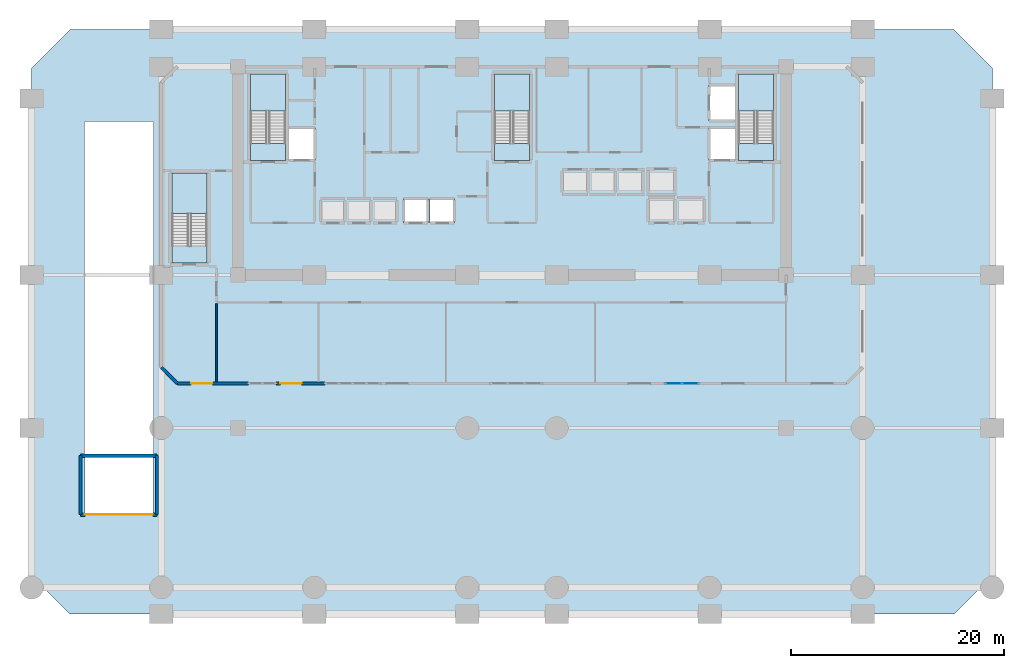
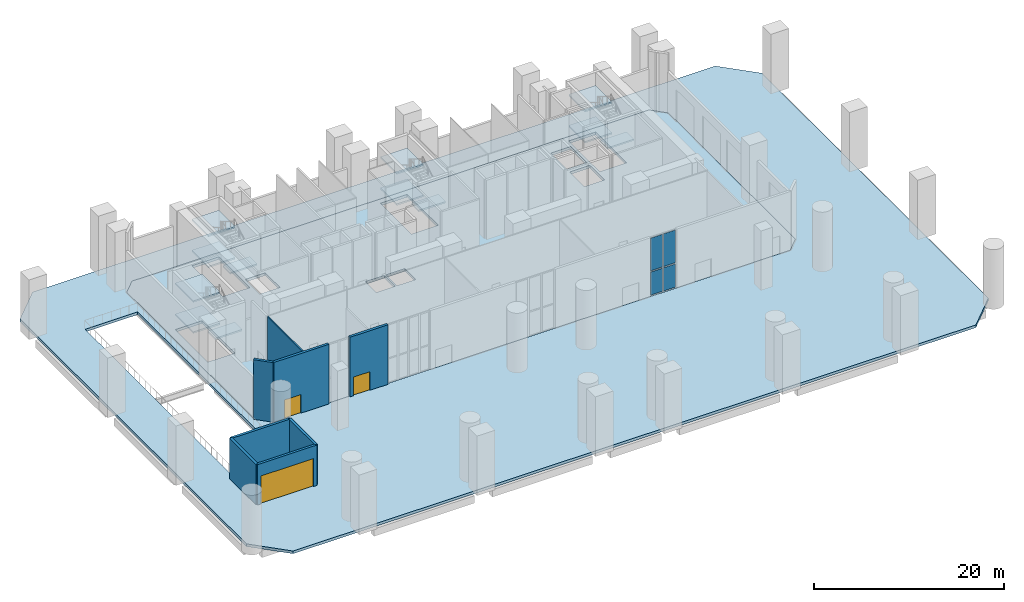
# One storey, part 9 of 17: 14 slabs, 8 walls, 4 plates, 3 doors, 3 openings, 5 elements without a shape of their own.
"""IFC4 building model written with IfcOpenShell, lengths in metres."""

import ifcopenshell
import ifcopenshell.guid

model = None  # the IFC model being written
_history = None  # IfcOwnerHistory: only IFC2X3 demands one
_inside = {}  # id of a spatial element -> (the spatial element, [elements in it])
_under = {}  # id of a project, library or spatial element -> (it, [spatial elements below it])
_declared = {}  # id of a project -> (the project, [libraries it declares])
_typed = {}  # id of a type object -> (the type object, [elements of that type])
_made_of = {}  # id of a material, layer set ... -> (it, [elements and type objects made of it])


def new_model(schema):
    """Start an empty IFC model of exactly this schema.

    Asked for "IFC4X3", IfcOpenShell would pick the latest addendum, in which some entities
    have other attributes; the version numbers below select the first issue.
    IFC2X3 requires an IfcOwnerHistory on every rooted entity: one is made here for all.
    """
    global model, _history
    if schema == "IFC4X3":
        model = ifcopenshell.file(schema_version=(4, 3, 0, 0))
    else:
        model = ifcopenshell.file(schema=schema)
    _inside.clear()
    _under.clear()
    _declared.clear()
    _typed.clear()
    _made_of.clear()
    _history = None
    if model.schema == "IFC2X3":
        org = make("IfcOrganization", Name="unknown")
        user = make(
            "IfcPersonAndOrganization",
            ThePerson=make("IfcPerson", FamilyName="unknown"),
            TheOrganization=org,
        )
        app = make(
            "IfcApplication",
            ApplicationDeveloper=org,
            Version="unknown",
            ApplicationFullName="unknown",
            ApplicationIdentifier="unknown",
        )
        _history = make(
            "IfcOwnerHistory",
            OwningUser=user,
            OwningApplication=app,
            ChangeAction="ADDED",
            CreationDate=0,
        )
    return model


def make(cls, **values):
    """One entity of the class cls with the attributes given. An attribute that is None is left unset."""
    return model.create_entity(
        cls, **{name: value for name, value in values.items() if value is not None}
    )


def rooted(cls, **values):
    """An entity with a GlobalId (a new one), such as an element, a storey or a relation."""
    return make(cls, GlobalId=ifcopenshell.guid.new(), OwnerHistory=_history, **values)


def si_unit(unit_type, name, prefix=None):
    """IfcSIUnit, for example si_unit("LENGTHUNIT", "METRE", prefix="MILLI")."""
    return make("IfcSIUnit", UnitType=unit_type, Prefix=prefix, Name=name)


def assignment(units):
    """IfcUnitAssignment: the units of a project."""
    return None if units is None else make("IfcUnitAssignment", Units=units)


def point(xyz):
    """IfcCartesianPoint."""
    return None if xyz is None else make("IfcCartesianPoint", Coordinates=xyz)


def direction(xyz):
    """IfcDirection."""
    return None if xyz is None else make("IfcDirection", DirectionRatios=xyz)


def frame(location, z_axis=None, x_axis=None):
    """IfcAxis2Placement3D, a coordinate frame: its origin and axes. An axis left out is left unset."""
    return make(
        "IfcAxis2Placement3D",
        Location=point(location),
        Axis=direction(z_axis),
        RefDirection=direction(x_axis),
    )


def frame_2d(location, x_axis=None):
    """IfcAxis2Placement2D, a coordinate frame in the plane: its origin and x axis."""
    return make(
        "IfcAxis2Placement2D", Location=point(location), RefDirection=direction(x_axis)
    )


def origin():
    """The frame at (0, 0, 0) with its axes left unset."""
    return frame((0.0, 0.0, 0.0))


def origin_2d():
    """The frame at (0, 0) in the plane with its x axis left unset."""
    return frame_2d((0.0, 0.0))


def place(relative_to, where):
    """IfcLocalPlacement: puts the frame where relative to a parent placement (None: the world)."""
    return make(
        "IfcLocalPlacement", PlacementRelTo=relative_to, RelativePlacement=where
    )


def context(
    kind, dimensions, precision=None, world=None, true_north=None, identifier=None
):
    """IfcGeometricRepresentationContext, for example the 3D "Model" context."""
    return make(
        "IfcGeometricRepresentationContext",
        ContextIdentifier=identifier,
        ContextType=kind,
        CoordinateSpaceDimension=dimensions,
        Precision=precision,
        WorldCoordinateSystem=world,
        TrueNorth=true_north,
    )


def subcontext(parent, identifier, kind, view, scale=None):
    """IfcGeometricRepresentationSubContext, for example "Body" below "Model"."""
    return make(
        "IfcGeometricRepresentationSubContext",
        ContextIdentifier=identifier,
        ContextType=kind,
        ParentContext=parent,
        TargetScale=scale,
        TargetView=view,
    )


def project(units=None, contexts=None):
    """IfcProject with its units and contexts."""
    return rooted(
        "IfcProject",
        Name="project",
        RepresentationContexts=contexts,
        UnitsInContext=assignment(units),
    )


def spatial(cls, under=None, at=None, **own):
    """A site, building, storey or space (cls), placed at a placement, below another one or the project."""
    s = rooted(cls, ObjectPlacement=at, **own)
    if under is not None:
        _under.setdefault(under.id(), (under, []))[1].append(s)
    return s


def polyline(points):
    """IfcPolyline through the points."""
    return make("IfcPolyline", Points=[point(p) for p in points])


def profile(cls, at=None, kind="AREA", **sizes):
    """A parametric profile (cls). Its sizes go by their IFC names, for example OverallWidth=200.0."""
    return make(cls, ProfileType=kind, Position=at, **sizes)


def rectangle(**sizes):
    """IfcRectangleProfileDef."""
    return profile("IfcRectangleProfileDef", **sizes)


def outline(outer, holes=None, kind="AREA"):
    """IfcArbitraryClosedProfileDef: a profile drawn as a closed curve; with holes, ...WithVoids."""
    if holes is None:
        return make("IfcArbitraryClosedProfileDef", ProfileType=kind, OuterCurve=outer)
    return make(
        "IfcArbitraryProfileDefWithVoids",
        ProfileType=kind,
        OuterCurve=outer,
        InnerCurves=holes,
    )


def extrude(swept, where, along, depth):
    """IfcExtrudedAreaSolid: the profile swept, set in the frame where, extruded along a direction by depth."""
    return make(
        "IfcExtrudedAreaSolid",
        SweptArea=swept,
        Position=where,
        ExtrudedDirection=direction(along),
        Depth=depth,
    )


def shape(context_of_items, identifier, shape_type, items):
    """IfcShapeRepresentation: the items that make up one representation, for example the "Body"."""
    return make(
        "IfcShapeRepresentation",
        ContextOfItems=context_of_items,
        RepresentationIdentifier=identifier,
        RepresentationType=shape_type,
        Items=items,
    )


def material(Name=None, Category=None):
    """IfcMaterial."""
    return make("IfcMaterial", Name=Name, Category=Category)


def layer(
    of_material, thickness, ventilated=None, Name=None, Category=None, Priority=None
):
    """IfcMaterialLayer: one layer of a wall or slab, of a material (None: an air gap)."""
    return make(
        "IfcMaterialLayer",
        Material=of_material,
        LayerThickness=thickness,
        IsVentilated=ventilated,
        Name=Name,
        Category=Category,
        Priority=Priority,
    )


def layer_set(layers, Name=None):
    """IfcMaterialLayerSet."""
    return make("IfcMaterialLayerSet", MaterialLayers=layers, LayerSetName=Name)


def made_of(thing, what):
    """Note that an element or type object is made of a material, layer set ...; save() writes the relation."""
    if what is not None:
        _made_of.setdefault(what.id(), (what, []))[1].append(thing)
    return thing


def type_object(cls, material=None, **own):
    """A type object (cls), such as IfcWallType, which elements share."""
    return made_of(rooted(cls, **own), material)


def element(
    cls,
    number,
    at=None,
    inside=None,
    cuts=None,
    type_object=None,
    material=None,
    context=None,
    identifier="Body",
    shape_type=None,
    held_by="IfcProductDefinitionShape",
    body=None,
    shapes=None,
    **own,
):
    """One element of the class cls, such as IfcWall. Its Tag is "e" and its number.

    at: its placement. inside: the storey or other place that contains it. cuts: it is an
    opening in that element (IfcRelVoidsElement). A single representation is given by context,
    identifier, shape_type and body (its items); several are given by shapes. held_by: the class
    of the entity that holds the representations. save() writes the other relations.
    """
    e = rooted(cls, Tag="e%d" % number, ObjectPlacement=at, **own)
    if body is not None:
        shapes = [shape(context, identifier, shape_type, body)]
    if shapes is not None:
        e.Representation = make(held_by, Representations=shapes)
    if inside is not None:
        _inside.setdefault(inside.id(), (inside, []))[1].append(e)
    if cuts is not None:
        rooted(
            "IfcRelVoidsElement", RelatingBuildingElement=cuts, RelatedOpeningElement=e
        )
    if type_object is not None:
        _typed.setdefault(type_object.id(), (type_object, []))[1].append(e)
    return made_of(e, material)


def fill(opening, filler):
    """IfcRelFillsElement: the door or window that sits in an opening."""
    return rooted(
        "IfcRelFillsElement",
        RelatingOpeningElement=opening,
        RelatedBuildingElement=filler,
    )


def aggregate(whole, parts):
    """IfcRelAggregates: a whole, such as a stair, and the parts it consists of."""
    return rooted("IfcRelAggregates", RelatingObject=whole, RelatedObjects=parts)


def save(model, path):
    """Write the relations noted so far, then the file.

    IfcRelAggregates (storeys below a building ...), IfcRelContainedInSpatialStructure (elements
    in a storey), IfcRelDefinesByType, IfcRelAssociatesMaterial and IfcRelDeclares: one each for
    every whole, place, type object, material and project.
    """
    for whole, parts in _under.values():
        aggregate(whole, parts)
    for where, things in _inside.values():
        rooted(
            "IfcRelContainedInSpatialStructure",
            RelatedElements=things,
            RelatingStructure=where,
        )
    for kind, things in _typed.values():
        rooted("IfcRelDefinesByType", RelatedObjects=things, RelatingType=kind)
    for what, things in _made_of.values():
        rooted("IfcRelAssociatesMaterial", RelatedObjects=things, RelatingMaterial=what)
    for by, libraries in _declared.values():
        rooted("IfcRelDeclares", RelatingContext=by, RelatedDefinitions=libraries)
    model.write(path)


model = new_model("IFC4")

# Units and contexts
model_context = context("Model", 3, precision=1e-05, world=origin(), true_north=direction((0.0, 1.0)))
body_context = subcontext(model_context, "Body", "Model", "MODEL_VIEW")
ifc_project = project(units=[si_unit("LENGTHUNIT", "METRE"), si_unit("AREAUNIT", "SQUARE_METRE"), si_unit("VOLUMEUNIT", "CUBIC_METRE"), si_unit("PLANEANGLEUNIT", "RADIAN"), si_unit("MASSUNIT", "GRAM", prefix="KILO")], contexts=[model_context])

# Site, building, storey
site_placement = place(None, origin())
site = spatial("IfcSite", under=ifc_project, at=site_placement, CompositionType="ELEMENT")
building_placement = place(site_placement, origin())
building = spatial("IfcBuilding", under=site, at=building_placement, Name="Kaelvorn Grand Hotel", CompositionType="ELEMENT")
storey_placement = place(building_placement, origin())
storey = spatial("IfcBuildingStorey", under=building, at=storey_placement, Name="L00", CompositionType="ELEMENT", Elevation=0.0)

# Curtain wall, plates
ifc_material_1 = material(Name="Anodised Aluminium", Category="aluminium")
ifc_layer_1 = layer(ifc_material_1, 0.239990234375)
ifc_layer_set_1 = layer_set([ifc_layer_1], Name="Anodised Aluminium")
curtain_wall_type = type_object("IfcCurtainWallType", Name="CW-SYS1", PredefinedType="NOTDEFINED", material=ifc_layer_set_1)
curtain_wall_placement = place(storey_placement, origin())
curtain_wall = element("IfcCurtainWall", 1, at=curtain_wall_placement, inside=storey, type_object=curtain_wall_type, Name="L00 Unitised Curtain Wall CW1 (CW-L00-01)", PredefinedType="NOTDEFINED")
ifc_material_2 = material(Name="Laminated Low-E Glass", Category="glass")
ifc_layer_2 = layer(ifc_material_2, 0.035888671875)
ifc_layer_set_2 = layer_set([ifc_layer_2], Name="Laminated Low-E Glass")
plate_type = type_object("IfcPlateType", Name="CW-SYS1-PAN", PredefinedType="CURTAIN_PANEL", material=ifc_layer_set_2)
plate_1_placement = place(storey_placement, frame((58.780029296875, 19.199951171875, 0.1650390625), z_axis=(0.0, 0.0, 1.0), x_axis=(-1.0, 0.0, 0.0)))
plate_1 = element("IfcPlate", 2, at=plate_1_placement, type_object=plate_type, Name="CW1 panel 1.1", PredefinedType="CURTAIN_PANEL", context=body_context, shape_type="SweptSolid", body=[
    extrude(rectangle(XDim=1.47998046875, YDim=0.035888671875, at=origin_2d()), origin(), (0.0, 0.0, 1.0), 2.97802734375),
])
plate_2_placement = place(storey_placement, frame((58.780029296875, 19.199951171875, 3.30810546875), z_axis=(0.0, 0.0, 1.0), x_axis=(-1.0, 0.0, 0.0)))
plate_2 = element("IfcPlate", 3, at=plate_2_placement, type_object=plate_type, Name="CW1 panel 1.2", PredefinedType="CURTAIN_PANEL", context=body_context, shape_type="SweptSolid", body=[
    extrude(rectangle(XDim=1.47998046875, YDim=0.035888671875, at=origin_2d()), origin(), (0.0, 0.0, 1.0), 4.206787109375),
])
plate_3_placement = place(storey_placement, frame((57.219970703125, 19.199951171875, 0.1650390625), z_axis=(0.0, 0.0, 1.0), x_axis=(-1.0, 0.0, 0.0)))
plate_3 = element("IfcPlate", 4, at=plate_3_placement, type_object=plate_type, Name="CW1 panel 2.1", PredefinedType="CURTAIN_PANEL", context=body_context, shape_type="SweptSolid", body=[
    extrude(rectangle(XDim=1.47998046875, YDim=0.035888671875, at=origin_2d()), origin(), (0.0, 0.0, 1.0), 2.97802734375),
])
plate_4_placement = place(storey_placement, frame((57.219970703125, 19.199951171875, 3.30810546875), z_axis=(0.0, 0.0, 1.0), x_axis=(-1.0, 0.0, 0.0)))
plate_4 = element("IfcPlate", 5, at=plate_4_placement, type_object=plate_type, Name="CW1 panel 2.2", PredefinedType="CURTAIN_PANEL", context=body_context, shape_type="SweptSolid", body=[
    extrude(rectangle(XDim=1.47998046875, YDim=0.035888671875, at=origin_2d()), origin(), (0.0, 0.0, 1.0), 4.206787109375),
])
aggregate(curtain_wall, [plate_1, plate_2, plate_3, plate_4])

# Slab
ifc_material_3 = material(Name="Concrete C40/50", Category="concrete")
ifc_layer_3 = layer(ifc_material_3, 0.35009765625)
ifc_layer_set_3 = layer_set([ifc_layer_3], Name="Concrete C40/50")
slab_type_1 = type_object("IfcSlabType", Name="SLB-FLR-350-C40", PredefinedType="FLOOR", material=ifc_layer_set_3)
slab_1_placement = place(storey_placement, frame((0.0, 0.0, -0.35009765625)))
element("IfcSlab", 6, at=slab_1_placement, inside=storey, type_object=slab_type_1, Name="L00 Ground Arrival Hall Floor Slab", PredefinedType="FLOOR", context=body_context, shape_type="SweptSolid", body=[
    extrude(outline(polyline([(10.5, 19.199951171875), (73.5, 19.199951171875), (75.0, 20.699951171875), (75.0, 47.5), (73.5, 49.0), (10.5, 49.0), (9.0, 47.5), (9.0, 20.699951171875), (10.5, 19.199951171875)]), holes=[polyline([(17.39990234375, 41.760009765625), (17.39990234375, 48.300048828125), (20.679931640625, 48.300048828125), (20.679931640625, 41.760009765625), (17.39990234375, 41.760009765625)]), polyline([(40.360107421875, 41.760009765625), (40.360107421875, 48.300048828125), (43.639892578125, 48.300048828125), (43.639892578125, 41.760009765625), (40.360107421875, 41.760009765625)]), polyline([(63.320068359375, 41.760009765625), (63.320068359375, 48.300048828125), (66.60009765625, 48.300048828125), (66.60009765625, 41.760009765625), (63.320068359375, 41.760009765625)]), polyline([(10.0, 32.110107421875), (10.0, 39.0), (13.280029296875, 39.0), (13.280029296875, 32.110107421875), (10.0, 32.110107421875)]), polyline([(31.800048828125, 34.300048828125), (31.800048828125, 36.60009765625), (34.10009765625, 36.60009765625), (34.10009765625, 34.300048828125), (31.800048828125, 34.300048828125)]), polyline([(34.300048828125, 34.300048828125), (34.300048828125, 36.60009765625), (36.60009765625, 36.60009765625), (36.60009765625, 34.300048828125), (34.300048828125, 34.300048828125)]), polyline([(21.0, 40.199951171875), (21.0, 43.300048828125), (23.449951171875, 43.300048828125), (23.449951171875, 40.199951171875), (21.0, 40.199951171875)]), polyline([(60.550048828125, 40.199951171875), (60.550048828125, 43.300048828125), (63.0, 43.300048828125), (63.0, 40.199951171875), (60.550048828125, 40.199951171875)]), polyline([(60.550048828125, 43.89990234375), (60.550048828125, 47.300048828125), (63.0, 47.300048828125), (63.0, 43.89990234375), (60.550048828125, 43.89990234375)])]), origin(), (0.0, 0.0, 1.0), 0.35009765625),
])

# Stair, slabs
stair_type = type_object("IfcStairType", Name="STR-DOG-1560-R02", PredefinedType="HALF_TURN_STAIR", material=ifc_material_3)
stair_1_placement = place(storey_placement, origin())
stair_1 = element("IfcStair", 7, at=stair_1_placement, inside=storey, type_object=stair_type, Name="L00 West Core Exit Stair ST1", PredefinedType="HALF_TURN_STAIR")
ifc_layer_4 = layer(ifc_material_3, 0.199951171875)
ifc_layer_set_4 = layer_set([ifc_layer_4], Name="Concrete C40/50")
slab_type_2 = type_object("IfcSlabType", Name="SLB-LAND-200-C40", PredefinedType="LANDING", material=ifc_layer_set_4)
slab_2_placement = place(storey_placement, frame((0.0, 0.0, 1.800048828125)))
slab_2 = element("IfcSlab", 8, at=slab_2_placement, type_object=slab_type_2, Name="ST1 landing 1", PredefinedType="LANDING", context=body_context, shape_type="SweptSolid", body=[
    extrude(outline(polyline([(20.679931640625, 44.840087890625), (20.679931640625, 48.300048828125), (17.39990234375, 48.300048828125), (17.39990234375, 44.840087890625), (20.679931640625, 44.840087890625)])), origin(), (0.0, 0.0, 1.0), 0.199951171875),
])
slab_3_placement = place(storey_placement, frame((0.0, 0.0, 3.800048828125)))
slab_3 = element("IfcSlab", 9, at=slab_3_placement, type_object=slab_type_2, Name="ST1 landing 2", PredefinedType="LANDING", context=body_context, shape_type="SweptSolid", body=[
    extrude(outline(polyline([(20.679931640625, 40.199951171875), (20.679931640625, 41.760009765625), (17.39990234375, 41.760009765625), (17.39990234375, 40.199951171875), (20.679931640625, 40.199951171875)])), origin(), (0.0, 0.0, 1.0), 0.199951171875),
])
slab_4_placement = place(storey_placement, frame((0.0, 0.0, 5.800048828125)))
slab_4 = element("IfcSlab", 10, at=slab_4_placement, type_object=slab_type_2, Name="ST1 landing 3", PredefinedType="LANDING", context=body_context, shape_type="SweptSolid", body=[
    extrude(outline(polyline([(20.679931640625, 44.840087890625), (20.679931640625, 48.300048828125), (17.39990234375, 48.300048828125), (17.39990234375, 44.840087890625), (20.679931640625, 44.840087890625)])), origin(), (0.0, 0.0, 1.0), 0.199951171875),
])
aggregate(stair_1, [slab_2, slab_3, slab_4])

stair_2_placement = place(storey_placement, origin())
stair_2 = element("IfcStair", 11, at=stair_2_placement, inside=storey, type_object=stair_type, Name="L00 Central Core Exit Stair ST2", PredefinedType="HALF_TURN_STAIR")
slab_5_placement = place(storey_placement, frame((0.0, 0.0, 1.800048828125)))
slab_5 = element("IfcSlab", 12, at=slab_5_placement, type_object=slab_type_2, Name="ST2 landing 1", PredefinedType="LANDING", context=body_context, shape_type="SweptSolid", body=[
    extrude(outline(polyline([(43.639892578125, 44.840087890625), (43.639892578125, 48.300048828125), (40.360107421875, 48.300048828125), (40.360107421875, 44.840087890625), (43.639892578125, 44.840087890625)])), origin(), (0.0, 0.0, 1.0), 0.199951171875),
])
slab_6_placement = place(storey_placement, frame((0.0, 0.0, 3.800048828125)))
slab_6 = element("IfcSlab", 13, at=slab_6_placement, type_object=slab_type_2, Name="ST2 landing 2", PredefinedType="LANDING", context=body_context, shape_type="SweptSolid", body=[
    extrude(outline(polyline([(43.639892578125, 40.199951171875), (43.639892578125, 41.760009765625), (40.360107421875, 41.760009765625), (40.360107421875, 40.199951171875), (43.639892578125, 40.199951171875)])), origin(), (0.0, 0.0, 1.0), 0.199951171875),
])
slab_7_placement = place(storey_placement, frame((0.0, 0.0, 5.800048828125)))
slab_7 = element("IfcSlab", 14, at=slab_7_placement, type_object=slab_type_2, Name="ST2 landing 3", PredefinedType="LANDING", context=body_context, shape_type="SweptSolid", body=[
    extrude(outline(polyline([(43.639892578125, 44.840087890625), (43.639892578125, 48.300048828125), (40.360107421875, 48.300048828125), (40.360107421875, 44.840087890625), (43.639892578125, 44.840087890625)])), origin(), (0.0, 0.0, 1.0), 0.199951171875),
])
aggregate(stair_2, [slab_5, slab_6, slab_7])

stair_3_placement = place(storey_placement, origin())
stair_3 = element("IfcStair", 15, at=stair_3_placement, inside=storey, type_object=stair_type, Name="L00 East Core Exit Stair ST3", PredefinedType="HALF_TURN_STAIR")
slab_8_placement = place(storey_placement, frame((0.0, 0.0, 1.800048828125)))
slab_8 = element("IfcSlab", 16, at=slab_8_placement, type_object=slab_type_2, Name="ST3 landing 1", PredefinedType="LANDING", context=body_context, shape_type="SweptSolid", body=[
    extrude(outline(polyline([(66.60009765625, 44.840087890625), (66.60009765625, 48.300048828125), (63.320068359375, 48.300048828125), (63.320068359375, 44.840087890625), (66.60009765625, 44.840087890625)])), origin(), (0.0, 0.0, 1.0), 0.199951171875),
])
slab_9_placement = place(storey_placement, frame((0.0, 0.0, 3.800048828125)))
slab_9 = element("IfcSlab", 17, at=slab_9_placement, type_object=slab_type_2, Name="ST3 landing 2", PredefinedType="LANDING", context=body_context, shape_type="SweptSolid", body=[
    extrude(outline(polyline([(66.60009765625, 40.199951171875), (66.60009765625, 41.760009765625), (63.320068359375, 41.760009765625), (63.320068359375, 40.199951171875), (66.60009765625, 40.199951171875)])), origin(), (0.0, 0.0, 1.0), 0.199951171875),
])
slab_10_placement = place(storey_placement, frame((0.0, 0.0, 5.800048828125)))
slab_10 = element("IfcSlab", 18, at=slab_10_placement, type_object=slab_type_2, Name="ST3 landing 3", PredefinedType="LANDING", context=body_context, shape_type="SweptSolid", body=[
    extrude(outline(polyline([(66.60009765625, 44.840087890625), (66.60009765625, 48.300048828125), (63.320068359375, 48.300048828125), (63.320068359375, 44.840087890625), (66.60009765625, 44.840087890625)])), origin(), (0.0, 0.0, 1.0), 0.199951171875),
])
aggregate(stair_3, [slab_8, slab_9, slab_10])

stair_4_placement = place(storey_placement, origin())
stair_4 = element("IfcStair", 19, at=stair_4_placement, inside=storey, type_object=stair_type, Name="L00 Podium Grand Stair ST4", PredefinedType="HALF_TURN_STAIR")
slab_11_placement = place(storey_placement, frame((0.0, 0.0, 1.800048828125)))
slab_11 = element("IfcSlab", 20, at=slab_11_placement, type_object=slab_type_2, Name="ST4 landing 1", PredefinedType="LANDING", context=body_context, shape_type="SweptSolid", body=[
    extrude(outline(polyline([(13.280029296875, 35.18994140625), (13.280029296875, 39.0), (10.0, 39.0), (10.0, 35.18994140625), (13.280029296875, 35.18994140625)])), origin(), (0.0, 0.0, 1.0), 0.199951171875),
])
slab_12_placement = place(storey_placement, frame((0.0, 0.0, 3.800048828125)))
slab_12 = element("IfcSlab", 21, at=slab_12_placement, type_object=slab_type_2, Name="ST4 landing 2", PredefinedType="LANDING", context=body_context, shape_type="SweptSolid", body=[
    extrude(outline(polyline([(13.280029296875, 30.550048828125), (13.280029296875, 32.110107421875), (10.0, 32.110107421875), (10.0, 30.550048828125), (13.280029296875, 30.550048828125)])), origin(), (0.0, 0.0, 1.0), 0.199951171875),
])
slab_13_placement = place(storey_placement, frame((0.0, 0.0, 5.800048828125)))
slab_13 = element("IfcSlab", 22, at=slab_13_placement, type_object=slab_type_2, Name="ST4 landing 3", PredefinedType="LANDING", context=body_context, shape_type="SweptSolid", body=[
    extrude(outline(polyline([(13.280029296875, 35.18994140625), (13.280029296875, 39.0), (10.0, 39.0), (10.0, 35.18994140625), (13.280029296875, 35.18994140625)])), origin(), (0.0, 0.0, 1.0), 0.199951171875),
])
aggregate(stair_4, [slab_11, slab_12, slab_13])

# Slab
ifc_layer_5 = layer(ifc_material_3, 0.35009765625)
ifc_layer_set_5 = layer_set([ifc_layer_5], Name="Concrete C40/50")
slab_type_3 = type_object("IfcSlabType", Name="SLB-PLAZA-350-C40", PredefinedType="BASESLAB", material=ifc_layer_set_5)
slab_14_placement = place(storey_placement, frame((0.0, 0.0, -0.35009765625)))
element("IfcSlab", 23, at=slab_14_placement, inside=storey, type_object=slab_type_3, Name="L00 Open Pilotis Public Plaza Paving Slab", PredefinedType="BASESLAB", context=body_context, shape_type="SweptSolid", body=[
    extrude(outline(polyline([(0.39990234375, -2.5), (83.60009765625, -2.5), (87.199951171875, 1.10009765625), (87.199951171875, 48.89990234375), (83.60009765625, 52.5), (0.39990234375, 52.5), (-3.199951171875, 48.89990234375), (-3.199951171875, 1.10009765625), (0.39990234375, -2.5)]), holes=[polyline([(9.0, 20.699951171875), (9.0, 47.5), (10.5, 49.0), (73.5, 49.0), (75.0, 47.5), (75.0, 20.699951171875), (73.5, 19.199951171875), (10.5, 19.199951171875), (9.0, 20.699951171875)]), polyline([(1.800048828125, 7.0), (1.800048828125, 43.800048828125), (8.199951171875, 43.800048828125), (8.199951171875, 7.0), (1.800048828125, 7.0)])]), origin(), (0.0, 0.0, 1.0), 0.35009765625),
])

# Wall, opening, door
ifc_layer_6 = layer(ifc_material_3, 0.300048828125)
ifc_layer_set_6 = layer_set([ifc_layer_6], Name="Concrete C40/50")
wall_type_1 = type_object("IfcWallType", Name="WL-EXT-300-C40", PredefinedType="SOLIDWALL", material=ifc_layer_set_6)
wall_1_placement = place(storey_placement, frame((24.405029296875, 19.199951171875, 0.0), z_axis=(0.0, 0.0, 1.0), x_axis=(-1.0, 0.0, 0.0)))
wall_1 = element("IfcWall", 24, at=wall_1_placement, inside=storey, type_object=wall_type_1, Name="L00 Ground Arrival Hall Exterior Wall 01 Pier 4", PredefinedType="SOLIDWALL", context=body_context, shape_type="SweptSolid", body=[
    extrude(rectangle(XDim=4.610107421875, YDim=0.300048828125, at=frame_2d((2.30517578125, 0.0))), origin(), (0.0, 0.0, 1.0), 7.679931640625),
])
opening_1_placement = place(wall_1_placement, frame((2.205078125, 0.0, 0.0)))
opening_1 = element("IfcOpeningElement", 25, at=opening_1_placement, cuts=wall_1, Name="Opening DE1", PredefinedType="OPENING", context=body_context, shape_type="SweptSolid", body=[
    extrude(rectangle(XDim=2.0, YDim=2.39990234375, at=frame_2d((1.0, 1.199951171875))), frame((0.0, 0.16015625, 0.0), z_axis=(0.0, -1.0, 0.0), x_axis=(1.0, 0.0, 0.0)), (0.0, 0.0, 1.0), 0.320068359375),
])
door_type_1 = type_object("IfcDoorType", Name="DR-EXT-EXIT-2000x2400", OperationType="DOUBLE_DOOR_SINGLE_SWING", PredefinedType="DOOR", material=ifc_material_1)
door_1_placement = place(opening_1_placement, origin())
door_1 = element("IfcDoor", 26, at=door_1_placement, inside=storey, type_object=door_type_1, Name="L00 Final Pedestrian Exit Double Door DE1-02", OperationType="DOUBLE_DOOR_SINGLE_SWING", OverallHeight=2.39990234375, OverallWidth=2.0, PredefinedType="DOOR", context=body_context, shape_type="SweptSolid", body=[
    extrude(rectangle(XDim=2.0, YDim=2.39990234375, at=frame_2d((1.0, 1.199951171875))), frame((0.0, 0.02490234375, 0.0), z_axis=(0.0, -1.0, 0.0), x_axis=(1.0, 0.0, 0.0)), (0.0, 0.0, 1.0), 0.050048828125),
])
fill(opening_1, door_1)

wall_2_placement = place(storey_placement, frame((17.205078125, 19.199951171875, 0.0), z_axis=(0.0, 0.0, 1.0), x_axis=(-1.0, 0.0, 0.0)))
wall_2 = element("IfcWall", 27, at=wall_2_placement, inside=storey, type_object=wall_type_1, Name="L00 Ground Arrival Hall Exterior Wall 01 Pier 5", PredefinedType="SOLIDWALL", context=body_context, shape_type="SweptSolid", body=[
    extrude(rectangle(XDim=6.705078125, YDim=0.300048828125, at=frame_2d((3.3525390625, 0.0))), origin(), (0.0, 0.0, 1.0), 7.679931640625),
])
opening_2_placement = place(wall_2_placement, frame((3.405029296875, 0.0, 0.0)))
opening_2 = element("IfcOpeningElement", 28, at=opening_2_placement, cuts=wall_2, Name="Opening DE1", PredefinedType="OPENING", context=body_context, shape_type="SweptSolid", body=[
    extrude(rectangle(XDim=2.0, YDim=2.39990234375, at=frame_2d((1.0, 1.199951171875))), frame((0.0, 0.16015625, 0.0), z_axis=(0.0, -1.0, 0.0), x_axis=(1.0, 0.0, 0.0)), (0.0, 0.0, 1.0), 0.320068359375),
])
door_2_placement = place(opening_2_placement, origin())
door_2 = element("IfcDoor", 29, at=door_2_placement, inside=storey, type_object=door_type_1, Name="L00 Final Pedestrian Exit Double Door DE1-01", OperationType="DOUBLE_DOOR_SINGLE_SWING", OverallHeight=2.39990234375, OverallWidth=2.0, PredefinedType="DOOR", context=body_context, shape_type="SweptSolid", body=[
    extrude(rectangle(XDim=2.0, YDim=2.39990234375, at=frame_2d((1.0, 1.199951171875))), frame((0.0, 0.02490234375, 0.0), z_axis=(0.0, -1.0, 0.0), x_axis=(1.0, 0.0, 0.0)), (0.0, 0.0, 1.0), 0.050048828125),
])
fill(opening_2, door_2)

# Wall
wall_3_placement = place(storey_placement, frame((9.0, 20.699951171875, 0.0), z_axis=(0.0, 0.0, 1.0), x_axis=(0.707106781187, -0.707106781187, 0.0)))
element("IfcWall", 30, at=wall_3_placement, inside=storey, type_object=wall_type_1, Name="L00 Ground Arrival Hall Exterior Wall 08", PredefinedType="SOLIDWALL", context=body_context, shape_type="SweptSolid", body=[
    extrude(rectangle(XDim=2.121337890625, YDim=0.300048828125, at=frame_2d((1.060546875, 0.0))), origin(), (0.0, 0.0, 1.0), 7.679931640625),
])

# Wall, opening, door
wall_4_placement = place(storey_placement, frame((8.60009765625, 6.85009765625, 0.0), z_axis=(0.0, 0.0, 1.0), x_axis=(-1.0, 0.0, 0.0)))
wall_4 = element("IfcWall", 31, at=wall_4_placement, inside=storey, type_object=wall_type_1, Name="L00 Car Park Ramp Portal South Exterior Wall", PredefinedType="SOLIDWALL", context=body_context, shape_type="SweptSolid", body=[
    extrude(rectangle(XDim=7.2001953125, YDim=0.300048828125, at=frame_2d((3.60009765625, 0.0))), origin(), (0.0, 0.0, 1.0), 5.199951171875),
])
opening_3_placement = place(wall_4_placement, frame((0.39990234375, 0.0, 0.0)))
opening_3 = element("IfcOpeningElement", 32, at=opening_3_placement, cuts=wall_4, Name="Opening SHUTTER-VR1", PredefinedType="OPENING", context=body_context, shape_type="SweptSolid", body=[
    extrude(rectangle(XDim=6.39990234375, YDim=3.60009765625, at=frame_2d((3.199951171875, 1.800048828125))), frame((0.0, 0.16015625, 0.0), z_axis=(0.0, -1.0, 0.0), x_axis=(1.0, 0.0, 0.0)), (0.0, 0.0, 1.0), 0.320068359375),
])
door_type_2 = type_object("IfcDoorType", Name="GT-SHUTTER-RAMP-6400x3600", OperationType="NOTDEFINED", PredefinedType="GATE", material=ifc_material_1)
door_3_placement = place(opening_3_placement, origin())
door_3 = element("IfcDoor", 33, at=door_3_placement, inside=storey, type_object=door_type_2, Name="L00 Vehicle Car Park Ramp Overhead Roller Shutter SHUTTER-VR1", OperationType="SINGLE_SWING_LEFT", OverallHeight=3.60009765625, OverallWidth=6.39990234375, PredefinedType="GATE", context=body_context, shape_type="SweptSolid", body=[
    extrude(rectangle(XDim=6.39990234375, YDim=3.60009765625, at=frame_2d((3.199951171875, 1.800048828125))), frame((0.0, 0.02490234375, 0.0), z_axis=(0.0, -1.0, 0.0), x_axis=(1.0, 0.0, 0.0)), (0.0, 0.0, 1.0), 0.050048828125),
])
fill(opening_3, door_3)

# Walls
for number, where, z_axis, x_axis, name in (
    (34, (1.39990234375, 12.39990234375, 0.0), (0.0, 0.0, 1.0), (0.0, -1.0, 0.0), "L00 Car Park Ramp Portal W Exterior Wall"),
    (35, (8.60009765625, 6.85009765625, 0.0), (0.0, 0.0, 1.0), (0.0, 1.0, 0.0), "L00 Car Park Ramp Portal E Exterior Wall"),
):
    element("IfcWall", number, at=place(storey_placement, frame(where, z_axis=z_axis, x_axis=x_axis)), inside=storey, type_object=wall_type_1, Name=name, PredefinedType="SOLIDWALL", context=body_context, shape_type="SweptSolid", body=[
        extrude(rectangle(XDim=5.5498046875, YDim=0.300048828125, at=frame_2d((2.77490234375, 0.0))), origin(), (0.0, 0.0, 1.0), 5.199951171875),
    ])
wall_5_placement = place(storey_placement, frame((1.39990234375, 12.39990234375, 0.0), z_axis=(0.0, 0.0, 1.0), x_axis=(1.0, 0.0, 0.0)))
element("IfcWall", 36, at=wall_5_placement, inside=storey, type_object=wall_type_1, Name="L00 Car Park Ramp Portal N Exterior Wall", PredefinedType="SOLIDWALL", context=body_context, shape_type="SweptSolid", body=[
    extrude(rectangle(XDim=7.2001953125, YDim=0.300048828125, at=frame_2d((3.60009765625, 0.0))), origin(), (0.0, 0.0, 1.0), 5.199951171875),
])
ifc_material_4 = material(Name="Acoustic Gypsum & Stud Partition")
ifc_layer_7 = layer(ifc_material_4, 0.14990234375)
ifc_layer_set_7 = layer_set([ifc_layer_7], Name="Acoustic Gypsum & Stud Partition")
wall_type_2 = type_object("IfcWallType", Name="WL-PART-150-EI60", PredefinedType="PARTITIONING", material=ifc_layer_set_7)
wall_6_placement = place(storey_placement, frame((14.199951171875, 19.35498046875, 0.0), z_axis=(0.0, 0.0, 1.0), x_axis=(0.0, 1.0, 0.0)))
element("IfcWall", 37, at=wall_6_placement, inside=storey, type_object=wall_type_2, Name="L00 Ground Arrival Florist & Gift Boutique W Partition", PredefinedType="PARTITIONING", context=body_context, shape_type="SweptSolid", body=[
    extrude(rectangle(XDim=7.364990234375, YDim=0.14990234375, at=frame_2d((3.6826171875, 0.0))), origin(), (0.0, 0.0, 1.0), 7.679931640625),
])

save(model, "model.ifc")
